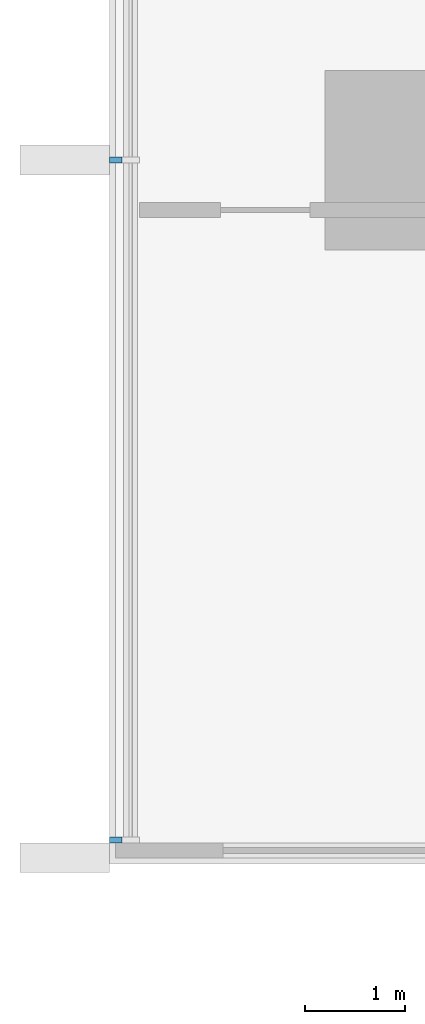
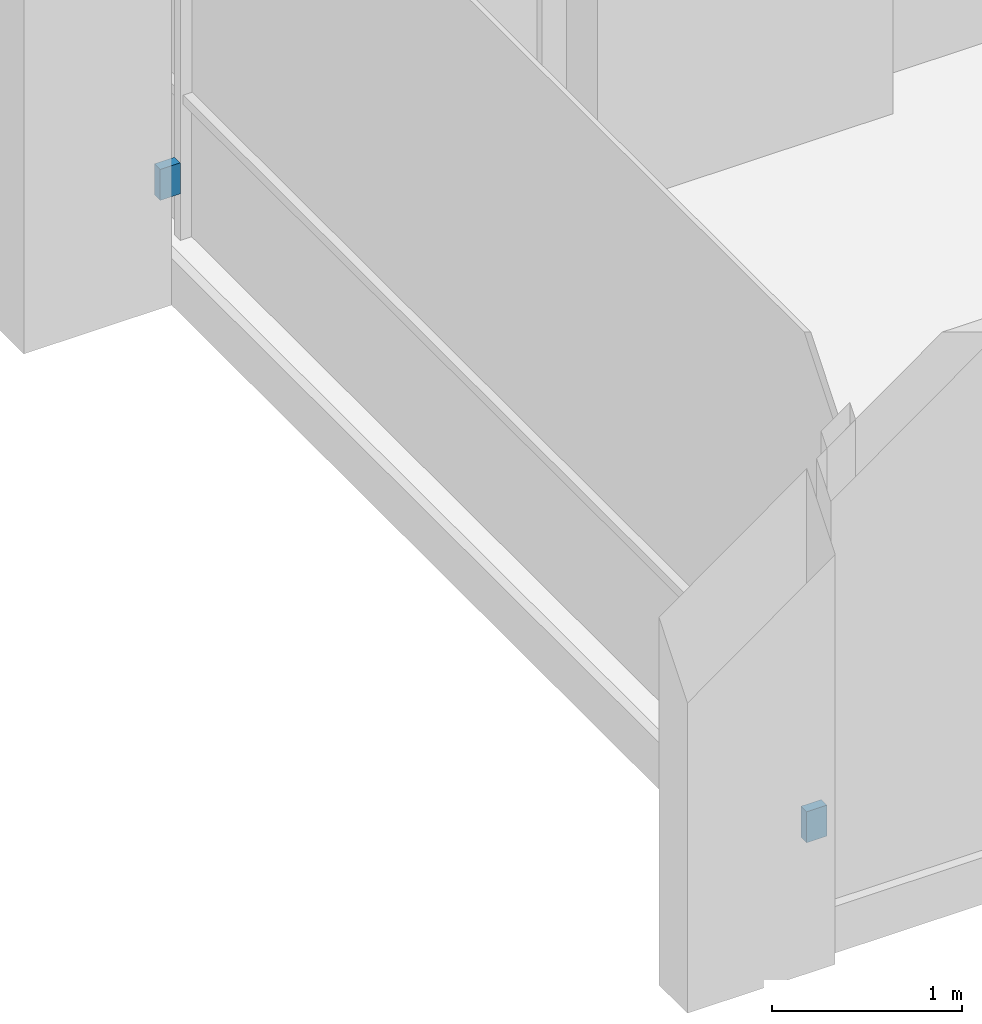
# One storey, part 12 of 16: 2 discrete accessories.
"""IFC4 building model written with IfcOpenShell, lengths in metres."""

from ifc_helpers import new_model, si_unit, direction, frame, origin, origin_2d, place, context, subcontext, project, spatial, rectangle, extrude, material, type_object, element, save


model = new_model("IFC4")

# Units and contexts
model_context = context("Model", 3, precision=1e-05, world=origin(), true_north=direction((0.0, 1.0)))
body_context = subcontext(model_context, "Body", "Model", "MODEL_VIEW")
ifc_project = project(units=[si_unit("LENGTHUNIT", "METRE"), si_unit("AREAUNIT", "SQUARE_METRE"), si_unit("VOLUMEUNIT", "CUBIC_METRE"), si_unit("PLANEANGLEUNIT", "RADIAN"), si_unit("MASSUNIT", "GRAM", prefix="KILO")], contexts=[model_context])

# Site, building, storey
site_placement = place(None, origin())
site = spatial("IfcSite", under=ifc_project, at=site_placement, CompositionType="ELEMENT")
building_placement = place(site_placement, origin())
building = spatial("IfcBuilding", under=site, at=building_placement, Name="Finial Court Residences", CompositionType="ELEMENT")
storey_placement = place(building_placement, frame((0.0, 0.0, 262.699951171875)))
storey = spatial("IfcBuildingStorey", under=building, at=storey_placement, Name="L66", CompositionType="ELEMENT", Elevation=262.699951171875)

# Discrete accessories
ifc_material = material(Name="Stainless steel 316", Category="steel")
discrete_accessory_type = type_object("IfcDiscreteAccessoryType", Name="Fin bracket, stainless steel 60 x 122 x 200", PredefinedType="BRACKET", material=ifc_material)
for number, where, z_axis, x_axis, name in (
    (1, (-19.498779296875, -20.320068359375, 0.30029296875), (0.0, 0.0, 1.0), (1.0, 0.0, 0.0), "E-L66-FIN-W21-BRK"),
    (2, (-19.498779296875, -13.5, 0.30029296875), (0.0, 0.0, 1.0), (1.0, 0.0, 0.0), "E-L66-FIN-W22-BRK"),
):
    element("IfcDiscreteAccessory", number, at=place(storey_placement, frame(where, z_axis=z_axis, x_axis=x_axis)), inside=storey, type_object=discrete_accessory_type, Name=name, PredefinedType="BRACKET", context=body_context, shape_type="SweptSolid", body=[
        extrude(rectangle(XDim=0.12255859375, YDim=0.06005859375, at=origin_2d()), origin(), (0.0, 0.0, 1.0), 0.199951171875),
    ])

save(model, "model.ifc")
